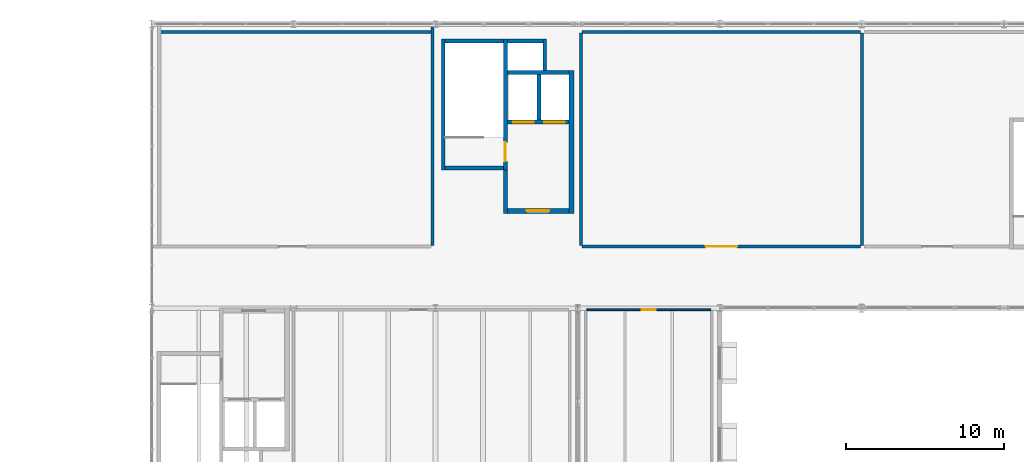
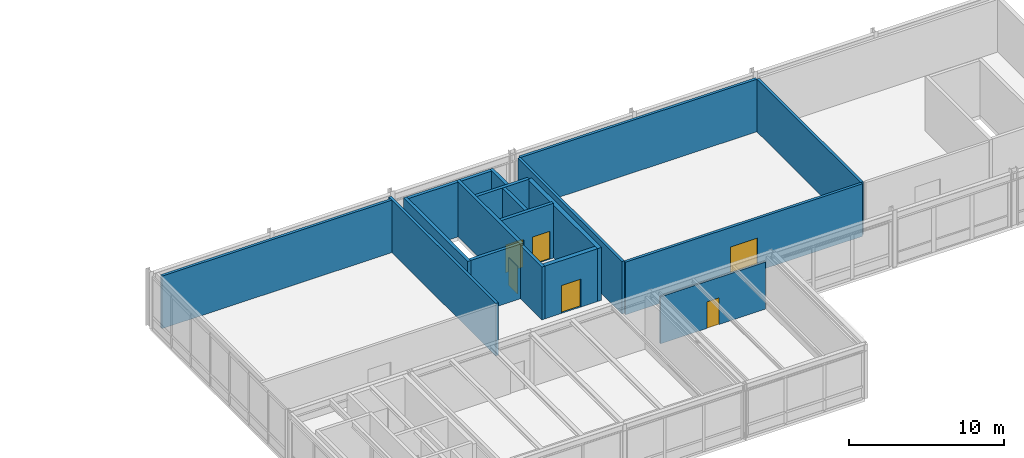
# One storey, part 60 of 67: 19 walls, 6 doors, 6 openings.
"""IFC4 building model written with IfcOpenShell, lengths in metres."""

from ifc_helpers import new_model, si_unit, direction, frame, frame_2d, origin, place, context, subcontext, project, spatial, rectangle, extrude, material, layer, layer_set, type_object, element, fill, save


model = new_model("IFC4")

# Units and contexts
model_context = context("Model", 3, precision=1e-05, world=origin(), true_north=direction((0.0, 1.0)))
body_context = subcontext(model_context, "Body", "Model", "MODEL_VIEW")
ifc_project = project(units=[si_unit("LENGTHUNIT", "METRE"), si_unit("AREAUNIT", "SQUARE_METRE"), si_unit("VOLUMEUNIT", "CUBIC_METRE"), si_unit("PLANEANGLEUNIT", "RADIAN"), si_unit("MASSUNIT", "GRAM", prefix="KILO")], contexts=[model_context])

# Site, building, storey
site_placement = place(None, origin())
site = spatial("IfcSite", under=ifc_project, at=site_placement, CompositionType="ELEMENT")
building_placement = place(site_placement, origin())
building = spatial("IfcBuilding", under=site, at=building_placement, Name="Montelvaro Courts of Justice", CompositionType="ELEMENT")
storey_placement = place(building_placement, frame((0.0, 0.0, 18.89990234375)))
storey = spatial("IfcBuildingStorey", under=building, at=storey_placement, Name="L04", CompositionType="ELEMENT", Elevation=18.89990234375)

# Wall, opening, door
ifc_material_1 = material(Name="Concrete C40/50", Category="concrete")
ifc_layer_1 = layer(ifc_material_1, 0.320068359375)
ifc_layer_set_1 = layer_set([ifc_layer_1], Name="Concrete C40/50")
wall_type_1 = type_object("IfcWallType", Name="CoreWall_320", PredefinedType="SHEAR", material=ifc_layer_set_1)
wall_1_placement = place(storey_placement, frame((121.5400390625, 84.159912109375, 0.0), z_axis=(0.0, 0.0, 1.0), x_axis=(1.0, 0.0, 0.0)))
wall_1 = element("IfcWall", 1, at=wall_1_placement, inside=storey, type_object=wall_type_1, Name="Core Shear Wall CW-02 K3-S (L04)", PredefinedType="SHEAR", context=body_context, shape_type="SweptSolid", body=[
    extrude(rectangle(XDim=3.89990234375, YDim=0.320068359375, at=frame_2d((1.949951171875, 0.0))), origin(), (0.0, 0.0, 1.0), 4.16015625),
])
opening_1_placement = place(wall_1_placement, frame((1.22509765625, 0.0, 0.0)))
opening_1 = element("IfcOpeningElement", 2, at=opening_1_placement, cuts=wall_1, Name="Opening DL-L04-K3", PredefinedType="OPENING", context=body_context, shape_type="SweptSolid", body=[
    extrude(rectangle(XDim=1.449951171875, YDim=2.199951171875, at=frame_2d((0.72509765625, 1.10009765625))), frame((0.0, 0.1748046875, 0.0), z_axis=(0.0, -1.0, 0.0), x_axis=(1.0, 0.0, 0.0)), (0.0, 0.0, 1.0), 0.349853515625),
])
ifc_material_2 = material(Name="Galvanised steel S355 security door", Category="steel")
door_type_1 = type_object("IfcDoorType", Name="LobbyFireDoor_145x220", OperationType="DOUBLE_DOOR_SINGLE_SWING", PredefinedType="DOOR", material=ifc_material_2)
door_1_placement = place(opening_1_placement, origin())
door_1 = element("IfcDoor", 3, at=door_1_placement, inside=storey, type_object=door_type_1, Name="Core Lobby Fire Door DL-L04-K3", OperationType="DOUBLE_DOOR_SINGLE_SWING", OverallHeight=2.199951171875, OverallWidth=1.449951171875, PredefinedType="DOOR", context=body_context, shape_type="SweptSolid", body=[
    extrude(rectangle(XDim=1.449951171875, YDim=2.199951171875, at=frame_2d((0.72509765625, 1.10009765625))), frame((0.0, 0.02490234375, 0.0), z_axis=(0.0, -1.0, 0.0), x_axis=(1.0, 0.0, 0.0)), (0.0, 0.0, 1.0), 0.050048828125),
])
fill(opening_1, door_1)

# Walls
wall_2_placement = place(storey_placement, frame((125.60009765625, 84.0, 0.0), z_axis=(0.0, 0.0, 1.0), x_axis=(0.0, 1.0, 0.0)))
element("IfcWall", 4, at=wall_2_placement, inside=storey, type_object=wall_type_1, Name="Core Shear Wall CW-02 K3-E (L04)", PredefinedType="SHEAR", context=body_context, shape_type="SweptSolid", body=[
    extrude(rectangle(XDim=9.0400390625, YDim=0.320068359375, at=frame_2d((4.52001953125, 0.0))), origin(), (0.0, 0.0, 1.0), 4.16015625),
])
ifc_material_3 = material(Name="Gypsum acoustic double stud with mineral wool")
ifc_layer_2 = layer(ifc_material_3, 0.199951171875)
ifc_layer_set_2 = layer_set([ifc_layer_2], Name="Gypsum acoustic double stud with mineral wool")
wall_type_2 = type_object("IfcWallType", Name="CourtAcousticWall_200", PredefinedType="PARTITIONING", material=ifc_layer_set_2)
wall_3_placement = place(storey_placement, frame((116.800048828125, 95.802001953125, 0.0), z_axis=(0.0, 0.0, 1.0), x_axis=(0.0, -1.0, 0.0)))
element("IfcWall", 5, at=wall_3_placement, inside=storey, type_object=wall_type_2, Name="Interior Partition IW-01 (L04)", PredefinedType="PARTITIONING", context=body_context, shape_type="SweptSolid", body=[
    extrude(rectangle(XDim=13.822021484375, YDim=0.199951171875, at=frame_2d((6.9111328125, 0.0))), origin(), (0.0, 0.0, 1.0), 4.14013671875),
])
wall_4_placement = place(storey_placement, frame((99.580078125, 95.5, 0.0), z_axis=(0.0, 0.0, 1.0), x_axis=(1.0, 0.0, 0.0)))
element("IfcWall", 6, at=wall_4_placement, inside=storey, type_object=wall_type_2, Name="Interior Partition IW-01 (L04)", PredefinedType="PARTITIONING", context=body_context, shape_type="SweptSolid", body=[
    extrude(rectangle(XDim=17.139892578125, YDim=0.199951171875, at=frame_2d((8.56982421875, 0.0))), origin(), (0.0, 0.0, 1.0), 4.14013671875),
])

# Wall, opening, door
wall_5_placement = place(storey_placement, frame((143.919921875, 81.89990234375, 0.0), z_axis=(0.0, 0.0, 1.0), x_axis=(-1.0, 0.0, 0.0)))
wall_5 = element("IfcWall", 7, at=wall_5_placement, inside=storey, type_object=wall_type_2, Name="Interior Partition IW-01 (L04)", PredefinedType="PARTITIONING", context=body_context, shape_type="SweptSolid", body=[
    extrude(rectangle(XDim=17.639892578125, YDim=0.199951171875, at=frame_2d((8.81982421875, 0.0))), origin(), (0.0, 0.0, 1.0), 4.14013671875),
])
opening_2_placement = place(wall_5_placement, frame((7.820068359375, 0.0, 0.0)))
opening_2 = element("IfcOpeningElement", 8, at=opening_2_placement, cuts=wall_5, Name="Opening D-L04-131", PredefinedType="OPENING", context=body_context, shape_type="SweptSolid", body=[
    extrude(rectangle(XDim=2.0, YDim=2.60009765625, at=frame_2d((1.0, 1.300048828125))), frame((0.0, 0.11474609375, 0.0), z_axis=(0.0, -1.0, 0.0), x_axis=(1.0, 0.0, 0.0)), (0.0, 0.0, 1.0), 0.229736328125),
])
ifc_material_4 = material(Name="Acoustic oak timber veneer", Category="wood")
door_type_2 = type_object("IfcDoorType", Name="CourtDoor_200x260", OperationType="DOUBLE_DOOR_SINGLE_SWING", PredefinedType="DOOR", material=ifc_material_4)
door_2_placement = place(opening_2_placement, frame((2.0, 0.0, 0.0), z_axis=(0.0, 0.0, 1.0), x_axis=(-1.0, 0.0, 0.0)))
door_2 = element("IfcDoor", 9, at=door_2_placement, inside=storey, type_object=door_type_2, Name="Interior Door D-L04-131 (Provincial Appellate Civil Courtroom 17)", OperationType="DOUBLE_DOOR_SINGLE_SWING", OverallHeight=2.60009765625, OverallWidth=2.0, PredefinedType="DOOR", context=body_context, shape_type="SweptSolid", body=[
    extrude(rectangle(XDim=2.0, YDim=2.60009765625, at=frame_2d((1.0, 1.300048828125))), frame((0.0, 0.02490234375, 0.0), z_axis=(0.0, -1.0, 0.0), x_axis=(1.0, 0.0, 0.0)), (0.0, 0.0, 1.0), 0.050048828125),
])
fill(opening_2, door_2)

# Walls
wall_6_placement = place(storey_placement, frame((126.199951171875, 81.97998046875, 0.0), z_axis=(0.0, 0.0, 1.0), x_axis=(0.0, 1.0, 0.0)))
element("IfcWall", 10, at=wall_6_placement, inside=storey, type_object=wall_type_2, Name="Interior Partition IW-01 (L04)", PredefinedType="PARTITIONING", context=body_context, shape_type="SweptSolid", body=[
    extrude(rectangle(XDim=13.43994140625, YDim=0.199951171875, at=frame_2d((6.719970703125, 0.0))), origin(), (0.0, 0.0, 1.0), 4.14013671875),
])
wall_7_placement = place(storey_placement, frame((126.280029296875, 95.5, 0.0), z_axis=(0.0, 0.0, 1.0), x_axis=(1.0, 0.0, 0.0)))
element("IfcWall", 11, at=wall_7_placement, inside=storey, type_object=wall_type_2, Name="Interior Partition IW-01 (L04)", PredefinedType="PARTITIONING", context=body_context, shape_type="SweptSolid", body=[
    extrude(rectangle(XDim=17.639892578125, YDim=0.199951171875, at=frame_2d((8.81982421875, 0.0))), origin(), (0.0, 0.0, 1.0), 4.14013671875),
])
wall_8_placement = place(storey_placement, frame((144.0, 95.419921875, 0.0), z_axis=(0.0, 0.0, 1.0), x_axis=(0.0, -1.0, 0.0)))
element("IfcWall", 12, at=wall_8_placement, inside=storey, type_object=wall_type_2, Name="Interior Partition IW-01 (L04)", PredefinedType="PARTITIONING", context=body_context, shape_type="SweptSolid", body=[
    extrude(rectangle(XDim=13.43994140625, YDim=0.199951171875, at=frame_2d((6.719970703125, 0.0))), origin(), (0.0, 0.0, 1.0), 4.14013671875),
])

# Wall, opening, door
ifc_material_5 = material(Name="Gypsum board on metal stud")
ifc_layer_3 = layer(ifc_material_5, 0.1201171875)
ifc_layer_set_3 = layer_set([ifc_layer_3], Name="Gypsum board on metal stud")
wall_type_3 = type_object("IfcWallType", Name="OfficePartition_120", PredefinedType="PARTITIONING", material=ifc_layer_set_3)
wall_9_placement = place(storey_placement, frame((126.580078125, 77.89990234375, 0.0), z_axis=(0.0, 0.0, 1.0), x_axis=(1.0, 0.0, 0.0)))
wall_9 = element("IfcWall", 13, at=wall_9_placement, inside=storey, type_object=wall_type_3, Name="Interior Partition IW-05 (L04)", PredefinedType="PARTITIONING", context=body_context, shape_type="SweptSolid", body=[
    extrude(rectangle(XDim=7.83984375, YDim=0.1201171875, at=frame_2d((3.919921875, 0.0))), origin(), (0.0, 0.0, 1.0), 3.705078125),
])
opening_3_placement = place(wall_9_placement, frame((3.469970703125, 0.0, 0.0)))
opening_3 = element("IfcOpeningElement", 14, at=opening_3_placement, cuts=wall_9, Name="Opening D-L04-134", PredefinedType="OPENING", context=body_context, shape_type="SweptSolid", body=[
    extrude(rectangle(XDim=0.89990234375, YDim=2.10009765625, at=frame_2d((0.449951171875, 1.050048828125))), frame((0.0, 0.074951171875, 0.0), z_axis=(0.0, -1.0, 0.0), x_axis=(1.0, 0.0, 0.0)), (0.0, 0.0, 1.0), 0.14990234375),
])
door_type_3 = type_object("IfcDoorType", Name="OfficeDoor_090x210", OperationType="NOTDEFINED", PredefinedType="DOOR", material=ifc_material_4)
door_3_placement = place(opening_3_placement, origin())
door_3 = element("IfcDoor", 15, at=door_3_placement, inside=storey, type_object=door_type_3, Name="Interior Door D-L04-134 (Appellate Counsel Waiting Room L04)", OperationType="SINGLE_SWING_LEFT", OverallHeight=2.10009765625, OverallWidth=0.89990234375, PredefinedType="DOOR", context=body_context, shape_type="SweptSolid", body=[
    extrude(rectangle(XDim=0.89990234375, YDim=2.10009765625, at=frame_2d((0.449951171875, 1.050048828125))), frame((0.0, 0.02490234375, 0.0), z_axis=(0.0, -1.0, 0.0), x_axis=(1.0, 0.0, 0.0)), (0.0, 0.0, 1.0), 0.050048828125),
])
fill(opening_3, door_3)

# Wall
ifc_material_6 = material(Name="Concrete C35/45", Category="concrete")
ifc_layer_4 = layer(ifc_material_6, 0.239990234375)
ifc_layer_set_4 = layer_set([ifc_layer_4], Name="Concrete C35/45")
wall_type_4 = type_object("IfcWallType", Name="ShaftWall_240", PredefinedType="SHEAR", material=ifc_layer_set_4)
wall_10_placement = place(storey_placement, frame((117.47998046875, 86.760009765625, 0.0), z_axis=(0.0, 0.0, 1.0), x_axis=(0.0, 1.0, 0.0)))
element("IfcWall", 16, at=wall_10_placement, inside=storey, type_object=wall_type_4, Name="Protected Stair Structural Wall ST-K3-W (L04)", PredefinedType="SHEAR", context=body_context, shape_type="SweptSolid", body=[
    extrude(rectangle(XDim=8.280029296875, YDim=0.239990234375, at=frame_2d((4.14013671875, 0.0))), origin(), (0.0, 0.0, 1.0), 4.31005859375),
])

# Wall, opening, door
wall_11_placement = place(storey_placement, frame((121.419921875, 86.760009765625, 0.0), z_axis=(0.0, 0.0, 1.0), x_axis=(0.0, 1.0, 0.0)))
wall_11 = element("IfcWall", 17, at=wall_11_placement, inside=storey, type_object=wall_type_4, Name="Protected Stair Structural Wall ST-K3-E (L04)", PredefinedType="SHEAR", context=body_context, shape_type="SweptSolid", body=[
    extrude(rectangle(XDim=8.280029296875, YDim=0.239990234375, at=frame_2d((4.14013671875, 0.0))), origin(), (0.0, 0.0, 1.0), 4.31005859375),
])
opening_4_placement = place(wall_11_placement, frame((0.5400390625, 0.0, 0.0)))
opening_4 = element("IfcOpeningElement", 18, at=opening_4_placement, cuts=wall_11, Name="Opening DS-L04-K3", PredefinedType="OPENING", context=body_context, shape_type="SweptSolid", body=[
    extrude(rectangle(XDim=1.199951171875, YDim=2.14990234375, at=frame_2d((0.60009765625, 1.074951171875))), frame((0.0, 0.134765625, 0.0), z_axis=(0.0, -1.0, 0.0), x_axis=(1.0, 0.0, 0.0)), (0.0, 0.0, 1.0), 0.269775390625),
])
door_type_4 = type_object("IfcDoorType", Name="StairFireDoor_120x215", OperationType="NOTDEFINED", PredefinedType="DOOR", material=ifc_material_2)
door_4_placement = place(opening_4_placement, frame((1.199951171875, 0.0, 0.0), z_axis=(0.0, 0.0, 1.0), x_axis=(-1.0, 0.0, 0.0)))
door_4 = element("IfcDoor", 19, at=door_4_placement, inside=storey, type_object=door_type_4, Name="Protected Stair Fire Door DS-L04-K3", OperationType="SINGLE_SWING_RIGHT", OverallHeight=2.14990234375, OverallWidth=1.199951171875, PredefinedType="DOOR", context=body_context, shape_type="SweptSolid", body=[
    extrude(rectangle(XDim=1.199951171875, YDim=2.14990234375, at=frame_2d((0.60009765625, 1.074951171875))), frame((0.0, 0.02490234375, 0.0), z_axis=(0.0, -1.0, 0.0), x_axis=(1.0, 0.0, 0.0)), (0.0, 0.0, 1.0), 0.050048828125),
])
fill(opening_4, door_4)

# Walls
for number, where, z_axis, x_axis, name in (
    (20, (117.60009765625, 86.8798828125, 0.0), (0.0, 0.0, 1.0), (1.0, 0.0, 0.0), "Protected Stair Structural Wall ST-K3-S (L04)"),
    (21, (117.60009765625, 94.919921875, 0.0), (0.0, 0.0, 1.0), (1.0, 0.0, 0.0), "Protected Stair Structural Wall ST-K3-N (L04)"),
):
    element("IfcWall", number, at=place(storey_placement, frame(where, z_axis=z_axis, x_axis=x_axis)), inside=storey, type_object=wall_type_4, Name=name, PredefinedType="SHEAR", context=body_context, shape_type="SweptSolid", body=[
        extrude(rectangle(XDim=3.699951171875, YDim=0.239990234375, at=frame_2d((1.85009765625, 0.0))), origin(), (0.0, 0.0, 1.0), 4.31005859375),
    ])
wall_12_placement = place(storey_placement, frame((121.419921875, 84.0, 0.0), z_axis=(0.0, 0.0, 1.0), x_axis=(0.0, 1.0, 0.0)))
element("IfcWall", 22, at=wall_12_placement, inside=storey, type_object=wall_type_4, Name="Core Lobby Structural Wall K3-W (L04)", PredefinedType="SHEAR", context=body_context, shape_type="SweptSolid", body=[
    extrude(rectangle(XDim=2.760009765625, YDim=0.239990234375, at=frame_2d((1.3798828125, 0.0))), origin(), (0.0, 0.0, 1.0), 4.16015625),
])

# Wall, openings, doors
wall_13_placement = place(storey_placement, frame((121.5400390625, 89.780029296875, 0.0), z_axis=(0.0, 0.0, 1.0), x_axis=(1.0, 0.0, 0.0)))
wall_13 = element("IfcWall", 23, at=wall_13_placement, inside=storey, type_object=wall_type_4, Name="Lift Shaft Bank Wall K3 (L04)", PredefinedType="SHEAR", context=body_context, shape_type="SweptSolid", body=[
    extrude(rectangle(XDim=3.89990234375, YDim=0.239990234375, at=frame_2d((1.949951171875, 0.0))), origin(), (0.0, 0.0, 1.0), 4.31005859375),
])
opening_5_placement = place(wall_13_placement, frame((0.385009765625, 0.0, 0.0)))
opening_5 = element("IfcOpeningElement", 24, at=opening_5_placement, cuts=wall_13, Name="Opening LD-LC-01-L04", PredefinedType="OPENING", context=body_context, shape_type="SweptSolid", body=[
    extrude(rectangle(XDim=1.300048828125, YDim=2.199951171875, at=frame_2d((0.64990234375, 1.10009765625))), frame((0.0, 0.134765625, 0.0), z_axis=(0.0, -1.0, 0.0), x_axis=(1.0, 0.0, 0.0)), (0.0, 0.0, 1.0), 0.269775390625),
])
opening_6_placement = place(wall_13_placement, frame((2.3349609375, 0.0, 0.0)))
opening_6 = element("IfcOpeningElement", 25, at=opening_6_placement, cuts=wall_13, Name="Opening LD-LG-01-L04", PredefinedType="OPENING", context=body_context, shape_type="SweptSolid", body=[
    extrude(rectangle(XDim=1.300048828125, YDim=2.199951171875, at=frame_2d((0.64990234375, 1.10009765625))), frame((0.0, 0.134765625, 0.0), z_axis=(0.0, -1.0, 0.0), x_axis=(1.0, 0.0, 0.0)), (0.0, 0.0, 1.0), 0.269775390625),
])
door_type_5 = type_object("IfcDoorType", Name="LiftDoor_130x220", OperationType="DOUBLE_DOOR_SLIDING", PredefinedType="DOOR", material=ifc_material_2)
door_5_placement = place(opening_5_placement, origin())
door_5 = element("IfcDoor", 26, at=door_5_placement, inside=storey, type_object=door_type_5, Name="Lift Landing Sliding Door LD-LC-01-L04", OperationType="DOUBLE_DOOR_SLIDING", OverallHeight=2.199951171875, OverallWidth=1.300048828125, PredefinedType="DOOR", context=body_context, shape_type="SweptSolid", body=[
    extrude(rectangle(XDim=1.300048828125, YDim=2.199951171875, at=frame_2d((0.64990234375, 1.10009765625))), frame((0.0, 0.02490234375, 0.0), z_axis=(0.0, -1.0, 0.0), x_axis=(1.0, 0.0, 0.0)), (0.0, 0.0, 1.0), 0.050048828125),
])
fill(opening_5, door_5)
door_6_placement = place(opening_6_placement, origin())
door_6 = element("IfcDoor", 27, at=door_6_placement, inside=storey, type_object=door_type_5, Name="Lift Landing Sliding Door LD-LG-01-L04", OperationType="DOUBLE_DOOR_SLIDING", OverallHeight=2.199951171875, OverallWidth=1.300048828125, PredefinedType="DOOR", context=body_context, shape_type="SweptSolid", body=[
    extrude(rectangle(XDim=1.300048828125, YDim=2.199951171875, at=frame_2d((0.64990234375, 1.10009765625))), frame((0.0, 0.02490234375, 0.0), z_axis=(0.0, -1.0, 0.0), x_axis=(1.0, 0.0, 0.0)), (0.0, 0.0, 1.0), 0.050048828125),
])
fill(opening_6, door_6)

# Walls
wall_14_placement = place(storey_placement, frame((121.5400390625, 92.919921875, 0.0), z_axis=(0.0, 0.0, 1.0), x_axis=(1.0, 0.0, 0.0)))
element("IfcWall", 28, at=wall_14_placement, inside=storey, type_object=wall_type_4, Name="Lift Shaft Back Wall K3 (L04)", PredefinedType="SHEAR", context=body_context, shape_type="SweptSolid", body=[
    extrude(rectangle(XDim=3.89990234375, YDim=0.239990234375, at=frame_2d((1.949951171875, 0.0))), origin(), (0.0, 0.0, 1.0), 4.31005859375),
])
wall_15_placement = place(storey_placement, frame((123.550048828125, 89.89990234375, 0.0), z_axis=(0.0, 0.0, 1.0), x_axis=(0.0, 1.0, 0.0)))
element("IfcWall", 29, at=wall_15_placement, inside=storey, type_object=wall_type_4, Name="Lift Shaft Divider Wall K3-LFD1 (L04)", PredefinedType="SHEAR", context=body_context, shape_type="SweptSolid", body=[
    extrude(rectangle(XDim=2.900146484375, YDim=0.239990234375, at=frame_2d((1.4501953125, 0.0))), origin(), (0.0, 0.0, 1.0), 4.31005859375),
])
wall_16_placement = place(storey_placement, frame((123.919921875, 93.0400390625, 0.0), z_axis=(0.0, 0.0, 1.0), x_axis=(0.0, 1.0, 0.0)))
element("IfcWall", 30, at=wall_16_placement, inside=storey, type_object=wall_type_4, Name="Service Riser East Shaft Wall K3 (L04)", PredefinedType="SHEAR", context=body_context, shape_type="SweptSolid", body=[
    extrude(rectangle(XDim=2.0, YDim=0.239990234375, at=frame_2d((1.0, 0.0))), origin(), (0.0, 0.0, 1.0), 4.31005859375),
])
wall_17_placement = place(storey_placement, frame((121.5400390625, 94.919921875, 0.0), z_axis=(0.0, 0.0, 1.0), x_axis=(1.0, 0.0, 0.0)))
element("IfcWall", 31, at=wall_17_placement, inside=storey, type_object=wall_type_4, Name="Service Riser North Shaft Wall K3 (L04)", PredefinedType="SHEAR", context=body_context, shape_type="SweptSolid", body=[
    extrude(rectangle(XDim=2.260009765625, YDim=0.239990234375, at=frame_2d((1.1298828125, 0.0))), origin(), (0.0, 0.0, 1.0), 4.31005859375),
])

save(model, "model.ifc")
